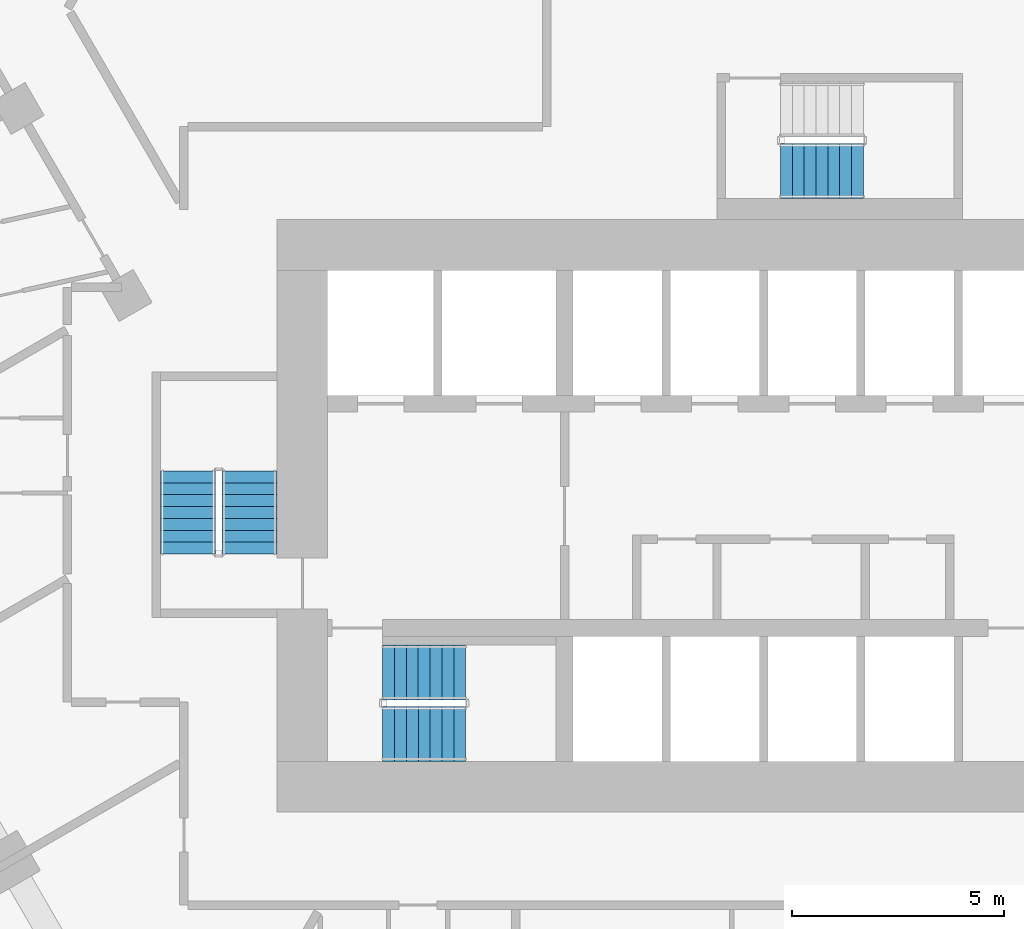
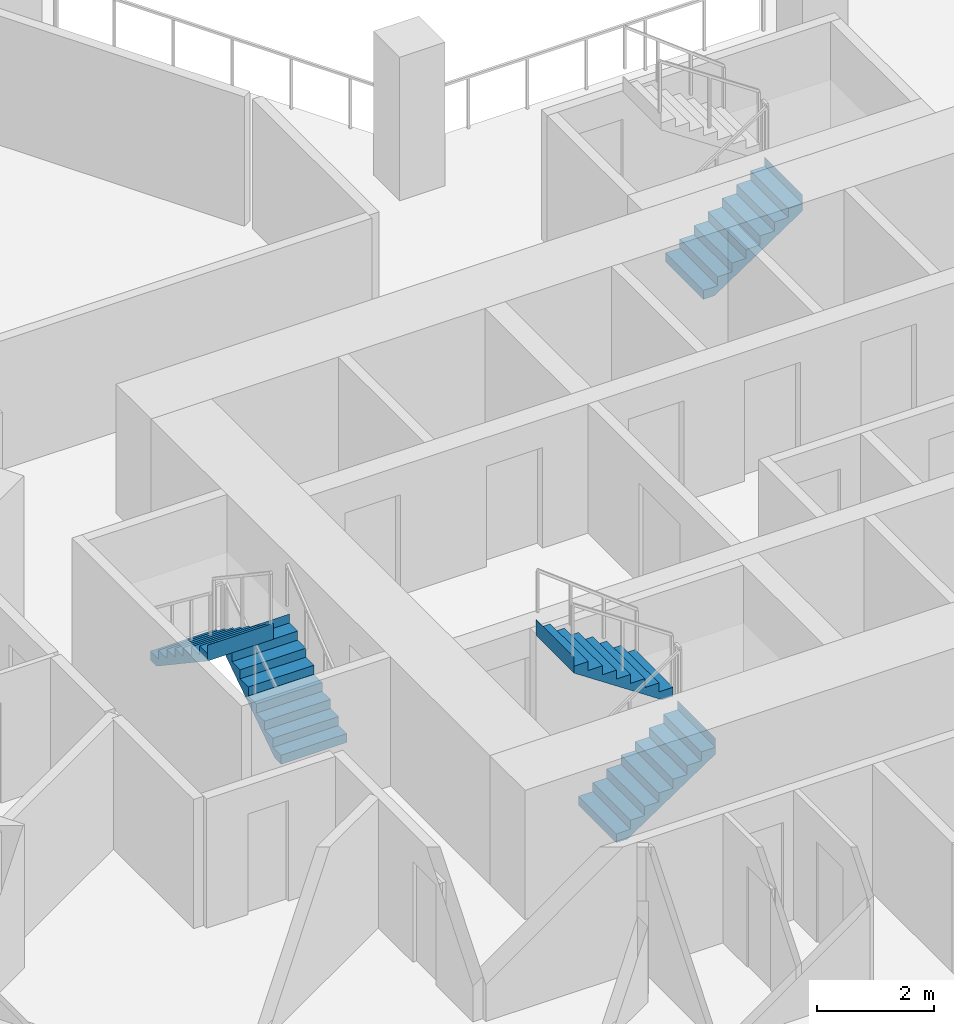
# One storey, part 16 of 21: 5 stair flights, 3 elements without a shape of their own.
"""IFC4 building model written with IfcOpenShell, lengths in metres."""

from ifc_helpers import new_model, si_unit, direction, frame, origin, place, context, subcontext, project, spatial, triangles, material, type_object, element, aggregate, save


model = new_model("IFC4")

# Units and contexts
model_context = context("Model", 3, precision=1e-05, world=origin(), true_north=direction((0.0, 1.0)))
body_context = subcontext(model_context, "Body", "Model", "MODEL_VIEW")
ifc_project = project(units=[si_unit("LENGTHUNIT", "METRE"), si_unit("AREAUNIT", "SQUARE_METRE"), si_unit("VOLUMEUNIT", "CUBIC_METRE"), si_unit("PLANEANGLEUNIT", "RADIAN"), si_unit("MASSUNIT", "GRAM", prefix="KILO")], contexts=[model_context])

# Site, building, storey
site_placement = place(None, origin())
site = spatial("IfcSite", under=ifc_project, at=site_placement, CompositionType="ELEMENT")
building_placement = place(site_placement, origin())
building = spatial("IfcBuilding", under=site, at=building_placement, Name="Beryl Residences", CompositionType="ELEMENT")
storey_placement = place(building_placement, frame((0.0, 0.0, 35.39990234375)))
storey = spatial("IfcBuildingStorey", under=building, at=storey_placement, Name="L10", CompositionType="ELEMENT", Elevation=35.39990234375)

# Stair, stair flights
ifc_material_1 = material(Name="Concrete C40/50", Category="concrete")
stair_type = type_object("IfcStairType", Name="ST1 protected exit stair, half-turn, 1300 mm flights", PredefinedType="HALF_TURN_STAIR", material=ifc_material_1)
stair_1_placement = place(storey_placement, origin())
stair_1 = element("IfcStair", 1, at=stair_1_placement, inside=storey, type_object=stair_type, Name="L10 PROTECTED EXIT STAIR ST-1", PredefinedType="HALF_TURN_STAIR")
ifc_material_2 = material(Name="Concrete C40/50", Category="concrete")
stair_flight_type = type_object("IfcStairFlightType", Name="SF1 stair flight 1300 mm", PredefinedType="STRAIGHT", material=ifc_material_2)
stair_flight_1_placement = place(storey_placement, frame((-10.800048828125, -17.14990234375, 0.0), z_axis=(0.0, 0.0, 1.0), x_axis=(1.0, 0.0, 0.0)))
stair_flight_1 = element("IfcStairFlight", 2, at=stair_flight_1_placement, type_object=stair_flight_type, Name="ST-1 flight 1", NumberOfRisers=8, NumberOfTreads=7, PredefinedType="STRAIGHT", RiserHeight=0.1875, TreadLength=0.28, context=body_context, shape_type="Tessellation", body=[
    triangles([(0.0, -0.64990234375, 0.0), (0.0, -0.324951171875, 0.0), (0.0, 0.0, 0.0), (0.0, 0.324951171875, 0.0), (0.0, 0.64990234375, 0.0), (0.0, -0.64990234375, 0.1875), (0.0, -0.324951171875, 0.1875), (0.0, 0.0, 0.1875), (0.0, 0.324951171875, 0.1875), (0.0, 0.64990234375, 0.1875), (0.280029296875, -0.64990234375, 0.1875), (0.280029296875, -0.324951171875, 0.1875), (0.280029296875, 0.0, 0.1875), (0.280029296875, 0.324951171875, 0.1875), (0.280029296875, 0.64990234375, 0.1875), (0.280029296875, -0.64990234375, 0.375), (0.280029296875, -0.324951171875, 0.375), (0.280029296875, 0.0, 0.375), (0.280029296875, 0.324951171875, 0.375), (0.280029296875, 0.64990234375, 0.375), (0.56005859375, -0.64990234375, 0.375), (0.56005859375, -0.324951171875, 0.375), (0.56005859375, 0.0, 0.375), (0.56005859375, 0.324951171875, 0.375), (0.56005859375, 0.64990234375, 0.375), (0.56005859375, -0.64990234375, 0.5625), (0.56005859375, -0.324951171875, 0.5625), (0.56005859375, 0.0, 0.5625), (0.56005859375, 0.324951171875, 0.5625), (0.56005859375, 0.64990234375, 0.5625), (0.840087890625, -0.64990234375, 0.5625), (0.840087890625, -0.324951171875, 0.5625), (0.840087890625, 0.0, 0.5625), (0.840087890625, 0.324951171875, 0.5625), (0.840087890625, 0.64990234375, 0.5625), (0.840087890625, -0.64990234375, 0.75), (0.840087890625, -0.324951171875, 0.75), (0.840087890625, 0.0, 0.75), (0.840087890625, 0.324951171875, 0.75), (0.840087890625, 0.64990234375, 0.75), (1.1201171875, -0.64990234375, 0.75), (1.1201171875, -0.324951171875, 0.75), (1.1201171875, 0.0, 0.75), (1.1201171875, 0.324951171875, 0.75), (1.1201171875, 0.64990234375, 0.75), (1.1201171875, -0.64990234375, 0.9375), (1.1201171875, -0.324951171875, 0.9375), (1.1201171875, 0.0, 0.9375), (1.1201171875, 0.324951171875, 0.9375), (1.1201171875, 0.64990234375, 0.9375), (1.39990234375, -0.64990234375, 0.9375), (1.39990234375, -0.324951171875, 0.9375), (1.39990234375, 0.0, 0.9375), (1.39990234375, 0.324951171875, 0.9375), (1.39990234375, 0.64990234375, 0.9375), (1.39990234375, -0.64990234375, 1.125), (1.39990234375, -0.324951171875, 1.125), (1.39990234375, 0.0, 1.125), (1.39990234375, 0.324951171875, 1.125), (1.39990234375, 0.64990234375, 1.125), (1.679931640625, -0.64990234375, 1.125), (1.679931640625, -0.324951171875, 1.125), (1.679931640625, 0.0, 1.125), (1.679931640625, 0.324951171875, 1.125), (1.679931640625, 0.64990234375, 1.125), (1.679931640625, -0.64990234375, 1.3125), (1.679931640625, -0.324951171875, 1.3125), (1.679931640625, 0.0, 1.3125), (1.679931640625, 0.324951171875, 1.3125), (1.679931640625, 0.64990234375, 1.3125), (1.9599609375, -0.64990234375, 1.3125), (1.9599609375, -0.324951171875, 1.3125), (1.9599609375, 0.0, 1.3125), (1.9599609375, 0.324951171875, 1.3125), (1.9599609375, 0.64990234375, 1.3125), (1.9599609375, -0.64990234375, 1.5), (1.9599609375, -0.324951171875, 1.5), (1.9599609375, 0.0, 1.5), (1.9599609375, 0.324951171875, 1.5), (1.9599609375, 0.64990234375, 1.5), (1.9609375, -0.64990234375, 1.5), (1.9609375, -0.324951171875, 1.5), (1.9609375, 0.0, 1.5), (1.9609375, 0.324951171875, 1.5), (1.9609375, 0.64990234375, 1.5), (1.9609375, -0.64990234375, 1.16796875), (1.9609375, -0.324951171875, 1.16796875), (1.9609375, 0.0, 1.16796875), (1.9609375, 0.324951171875, 1.16796875), (1.9609375, 0.64990234375, 1.16796875), (0.216796875, -0.64990234375, 0.0), (0.216796875, -0.324951171875, 0.0), (0.216796875, 0.0, 0.0), (0.216796875, 0.324951171875, 0.0), (0.216796875, 0.64990234375, 0.0)], [[1, 6, 7], [1, 7, 2], [2, 7, 8], [2, 8, 3], [3, 8, 9], [3, 9, 4], [4, 9, 10], [4, 10, 5], [6, 11, 12], [6, 12, 7], [7, 12, 13], [7, 13, 8], [8, 13, 14], [8, 14, 9], [9, 14, 15], [9, 15, 10], [11, 16, 17], [11, 17, 12], [12, 17, 18], [12, 18, 13], [13, 18, 19], [13, 19, 14], [14, 19, 20], [14, 20, 15], [16, 21, 22], [16, 22, 17], [17, 22, 23], [17, 23, 18], [18, 23, 24], [18, 24, 19], [19, 24, 25], [19, 25, 20], [21, 26, 27], [21, 27, 22], [22, 27, 28], [22, 28, 23], [23, 28, 29], [23, 29, 24], [24, 29, 30], [24, 30, 25], [26, 31, 32], [26, 32, 27], [27, 32, 33], [27, 33, 28], [28, 33, 34], [28, 34, 29], [29, 34, 35], [29, 35, 30], [31, 36, 37], [31, 37, 32], [32, 37, 38], [32, 38, 33], [33, 38, 39], [33, 39, 34], [34, 39, 40], [34, 40, 35], [36, 41, 42], [36, 42, 37], [37, 42, 43], [37, 43, 38], [38, 43, 44], [38, 44, 39], [39, 44, 45], [39, 45, 40], [41, 46, 47], [41, 47, 42], [42, 47, 48], [42, 48, 43], [43, 48, 49], [43, 49, 44], [44, 49, 50], [44, 50, 45], [46, 51, 52], [46, 52, 47], [47, 52, 53], [47, 53, 48], [48, 53, 54], [48, 54, 49], [49, 54, 55], [49, 55, 50], [51, 56, 57], [51, 57, 52], [52, 57, 58], [52, 58, 53], [53, 58, 59], [53, 59, 54], [54, 59, 60], [54, 60, 55], [56, 61, 62], [56, 62, 57], [57, 62, 63], [57, 63, 58], [58, 63, 64], [58, 64, 59], [59, 64, 65], [59, 65, 60], [61, 66, 67], [61, 67, 62], [62, 67, 68], [62, 68, 63], [63, 68, 69], [63, 69, 64], [64, 69, 70], [64, 70, 65], [66, 71, 72], [66, 72, 67], [67, 72, 73], [67, 73, 68], [68, 73, 74], [68, 74, 69], [69, 74, 75], [69, 75, 70], [71, 76, 77], [71, 77, 72], [72, 77, 78], [72, 78, 73], [73, 78, 79], [73, 79, 74], [74, 79, 80], [74, 80, 75], [76, 81, 82], [76, 82, 77], [77, 82, 83], [77, 83, 78], [78, 83, 84], [78, 84, 79], [79, 84, 85], [79, 85, 80], [81, 86, 87], [81, 87, 82], [82, 87, 88], [82, 88, 83], [83, 88, 89], [83, 89, 84], [84, 89, 90], [84, 90, 85], [86, 91, 92], [86, 92, 87], [87, 92, 93], [87, 93, 88], [88, 93, 94], [88, 94, 89], [89, 94, 95], [89, 95, 90], [91, 1, 2], [91, 2, 92], [92, 2, 3], [92, 3, 93], [93, 3, 4], [93, 4, 94], [94, 4, 5], [94, 5, 95], [1, 91, 86], [5, 90, 95], [86, 81, 76], [90, 80, 85], [86, 76, 71], [90, 75, 80], [86, 71, 66], [90, 70, 75], [86, 66, 61], [90, 65, 70], [61, 56, 51], [65, 55, 60], [86, 61, 51], [90, 55, 65], [51, 46, 41], [55, 45, 50], [86, 51, 41], [90, 45, 55], [41, 36, 31], [45, 35, 40], [86, 41, 31], [90, 35, 45], [31, 26, 21], [35, 25, 30], [86, 31, 21], [90, 25, 35], [21, 16, 11], [25, 15, 20], [86, 21, 11], [90, 15, 25], [1, 86, 11], [5, 15, 90], [11, 6, 1], [15, 5, 10]], closed=True),
])
stair_flight_2_placement = place(storey_placement, frame((-8.840087890625, -15.699951171875, 1.5), z_axis=(0.0, 0.0, 1.0), x_axis=(-1.0, 0.0, 0.0)))
stair_flight_2 = element("IfcStairFlight", 3, at=stair_flight_2_placement, type_object=stair_flight_type, Name="ST-1 flight 2", NumberOfRisers=8, NumberOfTreads=7, PredefinedType="STRAIGHT", RiserHeight=0.1875, TreadLength=0.28, context=body_context, shape_type="Tessellation", body=[
    triangles([(0.0, -0.64990234375, 0.0), (0.0, -0.324951171875, 0.0), (0.0, 0.0, 0.0), (0.0, 0.324951171875, 0.0), (0.0, 0.64990234375, 0.0), (0.0, -0.64990234375, 0.1875), (0.0, -0.324951171875, 0.1875), (0.0, 0.0, 0.1875), (0.0, 0.324951171875, 0.1875), (0.0, 0.64990234375, 0.1875), (0.280029296875, -0.64990234375, 0.1875), (0.280029296875, -0.324951171875, 0.1875), (0.280029296875, 0.0, 0.1875), (0.280029296875, 0.324951171875, 0.1875), (0.280029296875, 0.64990234375, 0.1875), (0.280029296875, -0.64990234375, 0.375), (0.280029296875, -0.324951171875, 0.375), (0.280029296875, 0.0, 0.375), (0.280029296875, 0.324951171875, 0.375), (0.280029296875, 0.64990234375, 0.375), (0.56005859375, -0.64990234375, 0.375), (0.56005859375, -0.324951171875, 0.375), (0.56005859375, 0.0, 0.375), (0.56005859375, 0.324951171875, 0.375), (0.56005859375, 0.64990234375, 0.375), (0.56005859375, -0.64990234375, 0.5625), (0.56005859375, -0.324951171875, 0.5625), (0.56005859375, 0.0, 0.5625), (0.56005859375, 0.324951171875, 0.5625), (0.56005859375, 0.64990234375, 0.5625), (0.840087890625, -0.64990234375, 0.5625), (0.840087890625, -0.324951171875, 0.5625), (0.840087890625, 0.0, 0.5625), (0.840087890625, 0.324951171875, 0.5625), (0.840087890625, 0.64990234375, 0.5625), (0.840087890625, -0.64990234375, 0.75), (0.840087890625, -0.324951171875, 0.75), (0.840087890625, 0.0, 0.75), (0.840087890625, 0.324951171875, 0.75), (0.840087890625, 0.64990234375, 0.75), (1.1201171875, -0.64990234375, 0.75), (1.1201171875, -0.324951171875, 0.75), (1.1201171875, 0.0, 0.75), (1.1201171875, 0.324951171875, 0.75), (1.1201171875, 0.64990234375, 0.75), (1.1201171875, -0.64990234375, 0.9375), (1.1201171875, -0.324951171875, 0.9375), (1.1201171875, 0.0, 0.9375), (1.1201171875, 0.324951171875, 0.9375), (1.1201171875, 0.64990234375, 0.9375), (1.39990234375, -0.64990234375, 0.9375), (1.39990234375, -0.324951171875, 0.9375), (1.39990234375, 0.0, 0.9375), (1.39990234375, 0.324951171875, 0.9375), (1.39990234375, 0.64990234375, 0.9375), (1.39990234375, -0.64990234375, 1.125), (1.39990234375, -0.324951171875, 1.125), (1.39990234375, 0.0, 1.125), (1.39990234375, 0.324951171875, 1.125), (1.39990234375, 0.64990234375, 1.125), (1.679931640625, -0.64990234375, 1.125), (1.679931640625, -0.324951171875, 1.125), (1.679931640625, 0.0, 1.125), (1.679931640625, 0.324951171875, 1.125), (1.679931640625, 0.64990234375, 1.125), (1.679931640625, -0.64990234375, 1.3125), (1.679931640625, -0.324951171875, 1.3125), (1.679931640625, 0.0, 1.3125), (1.679931640625, 0.324951171875, 1.3125), (1.679931640625, 0.64990234375, 1.3125), (1.9599609375, -0.64990234375, 1.3125), (1.9599609375, -0.324951171875, 1.3125), (1.9599609375, 0.0, 1.3125), (1.9599609375, 0.324951171875, 1.3125), (1.9599609375, 0.64990234375, 1.3125), (1.9599609375, -0.64990234375, 1.5), (1.9599609375, -0.324951171875, 1.5), (1.9599609375, 0.0, 1.5), (1.9599609375, 0.324951171875, 1.5), (1.9599609375, 0.64990234375, 1.5), (1.9609375, -0.64990234375, 1.5), (1.9609375, -0.324951171875, 1.5), (1.9609375, 0.0, 1.5), (1.9609375, 0.324951171875, 1.5), (1.9609375, 0.64990234375, 1.5), (1.9609375, -0.64990234375, 1.16796875), (1.9609375, -0.324951171875, 1.16796875), (1.9609375, 0.0, 1.16796875), (1.9609375, 0.324951171875, 1.16796875), (1.9609375, 0.64990234375, 1.16796875), (0.216796875, -0.64990234375, 0.0), (0.216796875, -0.324951171875, 0.0), (0.216796875, 0.0, 0.0), (0.216796875, 0.324951171875, 0.0), (0.216796875, 0.64990234375, 0.0)], [[1, 6, 7], [1, 7, 2], [2, 7, 8], [2, 8, 3], [3, 8, 9], [3, 9, 4], [4, 9, 10], [4, 10, 5], [6, 11, 12], [6, 12, 7], [7, 12, 13], [7, 13, 8], [8, 13, 14], [8, 14, 9], [9, 14, 15], [9, 15, 10], [11, 16, 17], [11, 17, 12], [12, 17, 18], [12, 18, 13], [13, 18, 19], [13, 19, 14], [14, 19, 20], [14, 20, 15], [16, 21, 22], [16, 22, 17], [17, 22, 23], [17, 23, 18], [18, 23, 24], [18, 24, 19], [19, 24, 25], [19, 25, 20], [21, 26, 27], [21, 27, 22], [22, 27, 28], [22, 28, 23], [23, 28, 29], [23, 29, 24], [24, 29, 30], [24, 30, 25], [26, 31, 32], [26, 32, 27], [27, 32, 33], [27, 33, 28], [28, 33, 34], [28, 34, 29], [29, 34, 35], [29, 35, 30], [31, 36, 37], [31, 37, 32], [32, 37, 38], [32, 38, 33], [33, 38, 39], [33, 39, 34], [34, 39, 40], [34, 40, 35], [36, 41, 42], [36, 42, 37], [37, 42, 43], [37, 43, 38], [38, 43, 44], [38, 44, 39], [39, 44, 45], [39, 45, 40], [41, 46, 47], [41, 47, 42], [42, 47, 48], [42, 48, 43], [43, 48, 49], [43, 49, 44], [44, 49, 50], [44, 50, 45], [46, 51, 52], [46, 52, 47], [47, 52, 53], [47, 53, 48], [48, 53, 54], [48, 54, 49], [49, 54, 55], [49, 55, 50], [51, 56, 57], [51, 57, 52], [52, 57, 58], [52, 58, 53], [53, 58, 59], [53, 59, 54], [54, 59, 60], [54, 60, 55], [56, 61, 62], [56, 62, 57], [57, 62, 63], [57, 63, 58], [58, 63, 64], [58, 64, 59], [59, 64, 65], [59, 65, 60], [61, 66, 67], [61, 67, 62], [62, 67, 68], [62, 68, 63], [63, 68, 69], [63, 69, 64], [64, 69, 70], [64, 70, 65], [66, 71, 72], [66, 72, 67], [67, 72, 73], [67, 73, 68], [68, 73, 74], [68, 74, 69], [69, 74, 75], [69, 75, 70], [71, 76, 77], [71, 77, 72], [72, 77, 78], [72, 78, 73], [73, 78, 79], [73, 79, 74], [74, 79, 80], [74, 80, 75], [76, 81, 82], [76, 82, 77], [77, 82, 83], [77, 83, 78], [78, 83, 84], [78, 84, 79], [79, 84, 85], [79, 85, 80], [81, 86, 87], [81, 87, 82], [82, 87, 88], [82, 88, 83], [83, 88, 89], [83, 89, 84], [84, 89, 90], [84, 90, 85], [86, 91, 92], [86, 92, 87], [87, 92, 93], [87, 93, 88], [88, 93, 94], [88, 94, 89], [89, 94, 95], [89, 95, 90], [91, 1, 2], [91, 2, 92], [92, 2, 3], [92, 3, 93], [93, 3, 4], [93, 4, 94], [94, 4, 5], [94, 5, 95], [1, 91, 86], [5, 90, 95], [86, 81, 76], [90, 80, 85], [86, 76, 71], [90, 75, 80], [86, 71, 66], [90, 70, 75], [86, 66, 61], [90, 65, 70], [61, 56, 51], [65, 55, 60], [86, 61, 51], [90, 55, 65], [51, 46, 41], [55, 45, 50], [86, 51, 41], [90, 45, 55], [41, 36, 31], [45, 35, 40], [86, 41, 31], [90, 35, 45], [31, 26, 21], [35, 25, 30], [86, 31, 21], [90, 25, 35], [21, 16, 11], [25, 15, 20], [86, 21, 11], [90, 15, 25], [1, 86, 11], [5, 15, 90], [11, 6, 1], [15, 5, 10]], closed=True),
])
aggregate(stair_1, [stair_flight_1, stair_flight_2])

stair_2_placement = place(storey_placement, origin())
stair_2 = element("IfcStair", 4, at=stair_2_placement, inside=storey, type_object=stair_type, Name="L10 PROTECTED EXIT STAIR ST-2", PredefinedType="HALF_TURN_STAIR")
stair_flight_3_placement = place(storey_placement, frame((-13.949951171875, -12.89990234375, 0.0), z_axis=(0.0, 0.0, 1.0), x_axis=(0.0, 1.0, 0.0)))
stair_flight_3 = element("IfcStairFlight", 5, at=stair_flight_3_placement, type_object=stair_flight_type, Name="ST-2 flight 1", NumberOfRisers=8, NumberOfTreads=7, PredefinedType="STRAIGHT", RiserHeight=0.1875, TreadLength=0.28, context=body_context, shape_type="Tessellation", body=[
    triangles([(0.0, -0.64990234375, 0.0), (0.0, -0.324951171875, 0.0), (0.0, 0.0, 0.0), (0.0, 0.324951171875, 0.0), (0.0, 0.64990234375, 0.0), (0.0, -0.64990234375, 0.1875), (0.0, -0.324951171875, 0.1875), (0.0, 0.0, 0.1875), (0.0, 0.324951171875, 0.1875), (0.0, 0.64990234375, 0.1875), (0.280029296875, -0.64990234375, 0.1875), (0.280029296875, -0.324951171875, 0.1875), (0.280029296875, 0.0, 0.1875), (0.280029296875, 0.324951171875, 0.1875), (0.280029296875, 0.64990234375, 0.1875), (0.280029296875, -0.64990234375, 0.375), (0.280029296875, -0.324951171875, 0.375), (0.280029296875, 0.0, 0.375), (0.280029296875, 0.324951171875, 0.375), (0.280029296875, 0.64990234375, 0.375), (0.56005859375, -0.64990234375, 0.375), (0.56005859375, -0.324951171875, 0.375), (0.56005859375, 0.0, 0.375), (0.56005859375, 0.324951171875, 0.375), (0.56005859375, 0.64990234375, 0.375), (0.56005859375, -0.64990234375, 0.5625), (0.56005859375, -0.324951171875, 0.5625), (0.56005859375, 0.0, 0.5625), (0.56005859375, 0.324951171875, 0.5625), (0.56005859375, 0.64990234375, 0.5625), (0.840087890625, -0.64990234375, 0.5625), (0.840087890625, -0.324951171875, 0.5625), (0.840087890625, 0.0, 0.5625), (0.840087890625, 0.324951171875, 0.5625), (0.840087890625, 0.64990234375, 0.5625), (0.840087890625, -0.64990234375, 0.75), (0.840087890625, -0.324951171875, 0.75), (0.840087890625, 0.0, 0.75), (0.840087890625, 0.324951171875, 0.75), (0.840087890625, 0.64990234375, 0.75), (1.1201171875, -0.64990234375, 0.75), (1.1201171875, -0.324951171875, 0.75), (1.1201171875, 0.0, 0.75), (1.1201171875, 0.324951171875, 0.75), (1.1201171875, 0.64990234375, 0.75), (1.1201171875, -0.64990234375, 0.9375), (1.1201171875, -0.324951171875, 0.9375), (1.1201171875, 0.0, 0.9375), (1.1201171875, 0.324951171875, 0.9375), (1.1201171875, 0.64990234375, 0.9375), (1.39990234375, -0.64990234375, 0.9375), (1.39990234375, -0.324951171875, 0.9375), (1.39990234375, 0.0, 0.9375), (1.39990234375, 0.324951171875, 0.9375), (1.39990234375, 0.64990234375, 0.9375), (1.39990234375, -0.64990234375, 1.125), (1.39990234375, -0.324951171875, 1.125), (1.39990234375, 0.0, 1.125), (1.39990234375, 0.324951171875, 1.125), (1.39990234375, 0.64990234375, 1.125), (1.679931640625, -0.64990234375, 1.125), (1.679931640625, -0.324951171875, 1.125), (1.679931640625, 0.0, 1.125), (1.679931640625, 0.324951171875, 1.125), (1.679931640625, 0.64990234375, 1.125), (1.679931640625, -0.64990234375, 1.3125), (1.679931640625, -0.324951171875, 1.3125), (1.679931640625, 0.0, 1.3125), (1.679931640625, 0.324951171875, 1.3125), (1.679931640625, 0.64990234375, 1.3125), (1.9599609375, -0.64990234375, 1.3125), (1.9599609375, -0.324951171875, 1.3125), (1.9599609375, 0.0, 1.3125), (1.9599609375, 0.324951171875, 1.3125), (1.9599609375, 0.64990234375, 1.3125), (1.9599609375, -0.64990234375, 1.5), (1.9599609375, -0.324951171875, 1.5), (1.9599609375, 0.0, 1.5), (1.9599609375, 0.324951171875, 1.5), (1.9599609375, 0.64990234375, 1.5), (1.9609375, -0.64990234375, 1.5), (1.9609375, -0.324951171875, 1.5), (1.9609375, 0.0, 1.5), (1.9609375, 0.324951171875, 1.5), (1.9609375, 0.64990234375, 1.5), (1.9609375, -0.64990234375, 1.16796875), (1.9609375, -0.324951171875, 1.16796875), (1.9609375, 0.0, 1.16796875), (1.9609375, 0.324951171875, 1.16796875), (1.9609375, 0.64990234375, 1.16796875), (0.216796875, -0.64990234375, 0.0), (0.216796875, -0.324951171875, 0.0), (0.216796875, 0.0, 0.0), (0.216796875, 0.324951171875, 0.0), (0.216796875, 0.64990234375, 0.0)], [[1, 6, 7], [1, 7, 2], [2, 7, 8], [2, 8, 3], [3, 8, 9], [3, 9, 4], [4, 9, 10], [4, 10, 5], [6, 11, 12], [6, 12, 7], [7, 12, 13], [7, 13, 8], [8, 13, 14], [8, 14, 9], [9, 14, 15], [9, 15, 10], [11, 16, 17], [11, 17, 12], [12, 17, 18], [12, 18, 13], [13, 18, 19], [13, 19, 14], [14, 19, 20], [14, 20, 15], [16, 21, 22], [16, 22, 17], [17, 22, 23], [17, 23, 18], [18, 23, 24], [18, 24, 19], [19, 24, 25], [19, 25, 20], [21, 26, 27], [21, 27, 22], [22, 27, 28], [22, 28, 23], [23, 28, 29], [23, 29, 24], [24, 29, 30], [24, 30, 25], [26, 31, 32], [26, 32, 27], [27, 32, 33], [27, 33, 28], [28, 33, 34], [28, 34, 29], [29, 34, 35], [29, 35, 30], [31, 36, 37], [31, 37, 32], [32, 37, 38], [32, 38, 33], [33, 38, 39], [33, 39, 34], [34, 39, 40], [34, 40, 35], [36, 41, 42], [36, 42, 37], [37, 42, 43], [37, 43, 38], [38, 43, 44], [38, 44, 39], [39, 44, 45], [39, 45, 40], [41, 46, 47], [41, 47, 42], [42, 47, 48], [42, 48, 43], [43, 48, 49], [43, 49, 44], [44, 49, 50], [44, 50, 45], [46, 51, 52], [46, 52, 47], [47, 52, 53], [47, 53, 48], [48, 53, 54], [48, 54, 49], [49, 54, 55], [49, 55, 50], [51, 56, 57], [51, 57, 52], [52, 57, 58], [52, 58, 53], [53, 58, 59], [53, 59, 54], [54, 59, 60], [54, 60, 55], [56, 61, 62], [56, 62, 57], [57, 62, 63], [57, 63, 58], [58, 63, 64], [58, 64, 59], [59, 64, 65], [59, 65, 60], [61, 66, 67], [61, 67, 62], [62, 67, 68], [62, 68, 63], [63, 68, 69], [63, 69, 64], [64, 69, 70], [64, 70, 65], [66, 71, 72], [66, 72, 67], [67, 72, 73], [67, 73, 68], [68, 73, 74], [68, 74, 69], [69, 74, 75], [69, 75, 70], [71, 76, 77], [71, 77, 72], [72, 77, 78], [72, 78, 73], [73, 78, 79], [73, 79, 74], [74, 79, 80], [74, 80, 75], [76, 81, 82], [76, 82, 77], [77, 82, 83], [77, 83, 78], [78, 83, 84], [78, 84, 79], [79, 84, 85], [79, 85, 80], [81, 86, 87], [81, 87, 82], [82, 87, 88], [82, 88, 83], [83, 88, 89], [83, 89, 84], [84, 89, 90], [84, 90, 85], [86, 91, 92], [86, 92, 87], [87, 92, 93], [87, 93, 88], [88, 93, 94], [88, 94, 89], [89, 94, 95], [89, 95, 90], [91, 1, 2], [91, 2, 92], [92, 2, 3], [92, 3, 93], [93, 3, 4], [93, 4, 94], [94, 4, 5], [94, 5, 95], [1, 91, 86], [5, 90, 95], [86, 81, 76], [90, 80, 85], [86, 76, 71], [90, 75, 80], [86, 71, 66], [90, 70, 75], [86, 66, 61], [90, 65, 70], [61, 56, 51], [65, 55, 60], [86, 61, 51], [90, 55, 65], [51, 46, 41], [55, 45, 50], [86, 51, 41], [90, 45, 55], [41, 36, 31], [45, 35, 40], [86, 41, 31], [90, 35, 45], [31, 26, 21], [35, 25, 30], [86, 31, 21], [90, 25, 35], [21, 16, 11], [25, 15, 20], [86, 21, 11], [90, 15, 25], [1, 86, 11], [5, 15, 90], [11, 6, 1], [15, 5, 10]], closed=True),
])
stair_flight_4_placement = place(storey_placement, frame((-15.39990234375, -10.93994140625, 1.5), z_axis=(0.0, 0.0, 1.0), x_axis=(0.0, -1.0, 0.0)))
stair_flight_4 = element("IfcStairFlight", 6, at=stair_flight_4_placement, type_object=stair_flight_type, Name="ST-2 flight 2", NumberOfRisers=8, NumberOfTreads=7, PredefinedType="STRAIGHT", RiserHeight=0.1875, TreadLength=0.28, context=body_context, shape_type="Tessellation", body=[
    triangles([(0.0, -0.64990234375, 0.0), (0.0, -0.324951171875, 0.0), (0.0, 0.0, 0.0), (0.0, 0.324951171875, 0.0), (0.0, 0.64990234375, 0.0), (0.0, -0.64990234375, 0.1875), (0.0, -0.324951171875, 0.1875), (0.0, 0.0, 0.1875), (0.0, 0.324951171875, 0.1875), (0.0, 0.64990234375, 0.1875), (0.280029296875, -0.64990234375, 0.1875), (0.280029296875, -0.324951171875, 0.1875), (0.280029296875, 0.0, 0.1875), (0.280029296875, 0.324951171875, 0.1875), (0.280029296875, 0.64990234375, 0.1875), (0.280029296875, -0.64990234375, 0.375), (0.280029296875, -0.324951171875, 0.375), (0.280029296875, 0.0, 0.375), (0.280029296875, 0.324951171875, 0.375), (0.280029296875, 0.64990234375, 0.375), (0.56005859375, -0.64990234375, 0.375), (0.56005859375, -0.324951171875, 0.375), (0.56005859375, 0.0, 0.375), (0.56005859375, 0.324951171875, 0.375), (0.56005859375, 0.64990234375, 0.375), (0.56005859375, -0.64990234375, 0.5625), (0.56005859375, -0.324951171875, 0.5625), (0.56005859375, 0.0, 0.5625), (0.56005859375, 0.324951171875, 0.5625), (0.56005859375, 0.64990234375, 0.5625), (0.840087890625, -0.64990234375, 0.5625), (0.840087890625, -0.324951171875, 0.5625), (0.840087890625, 0.0, 0.5625), (0.840087890625, 0.324951171875, 0.5625), (0.840087890625, 0.64990234375, 0.5625), (0.840087890625, -0.64990234375, 0.75), (0.840087890625, -0.324951171875, 0.75), (0.840087890625, 0.0, 0.75), (0.840087890625, 0.324951171875, 0.75), (0.840087890625, 0.64990234375, 0.75), (1.1201171875, -0.64990234375, 0.75), (1.1201171875, -0.324951171875, 0.75), (1.1201171875, 0.0, 0.75), (1.1201171875, 0.324951171875, 0.75), (1.1201171875, 0.64990234375, 0.75), (1.1201171875, -0.64990234375, 0.9375), (1.1201171875, -0.324951171875, 0.9375), (1.1201171875, 0.0, 0.9375), (1.1201171875, 0.324951171875, 0.9375), (1.1201171875, 0.64990234375, 0.9375), (1.39990234375, -0.64990234375, 0.9375), (1.39990234375, -0.324951171875, 0.9375), (1.39990234375, 0.0, 0.9375), (1.39990234375, 0.324951171875, 0.9375), (1.39990234375, 0.64990234375, 0.9375), (1.39990234375, -0.64990234375, 1.125), (1.39990234375, -0.324951171875, 1.125), (1.39990234375, 0.0, 1.125), (1.39990234375, 0.324951171875, 1.125), (1.39990234375, 0.64990234375, 1.125), (1.679931640625, -0.64990234375, 1.125), (1.679931640625, -0.324951171875, 1.125), (1.679931640625, 0.0, 1.125), (1.679931640625, 0.324951171875, 1.125), (1.679931640625, 0.64990234375, 1.125), (1.679931640625, -0.64990234375, 1.3125), (1.679931640625, -0.324951171875, 1.3125), (1.679931640625, 0.0, 1.3125), (1.679931640625, 0.324951171875, 1.3125), (1.679931640625, 0.64990234375, 1.3125), (1.9599609375, -0.64990234375, 1.3125), (1.9599609375, -0.324951171875, 1.3125), (1.9599609375, 0.0, 1.3125), (1.9599609375, 0.324951171875, 1.3125), (1.9599609375, 0.64990234375, 1.3125), (1.9599609375, -0.64990234375, 1.5), (1.9599609375, -0.324951171875, 1.5), (1.9599609375, 0.0, 1.5), (1.9599609375, 0.324951171875, 1.5), (1.9599609375, 0.64990234375, 1.5), (1.9609375, -0.64990234375, 1.5), (1.9609375, -0.324951171875, 1.5), (1.9609375, 0.0, 1.5), (1.9609375, 0.324951171875, 1.5), (1.9609375, 0.64990234375, 1.5), (1.9609375, -0.64990234375, 1.16796875), (1.9609375, -0.324951171875, 1.16796875), (1.9609375, 0.0, 1.16796875), (1.9609375, 0.324951171875, 1.16796875), (1.9609375, 0.64990234375, 1.16796875), (0.216796875, -0.64990234375, 0.0), (0.216796875, -0.324951171875, 0.0), (0.216796875, 0.0, 0.0), (0.216796875, 0.324951171875, 0.0), (0.216796875, 0.64990234375, 0.0)], [[1, 6, 7], [1, 7, 2], [2, 7, 8], [2, 8, 3], [3, 8, 9], [3, 9, 4], [4, 9, 10], [4, 10, 5], [6, 11, 12], [6, 12, 7], [7, 12, 13], [7, 13, 8], [8, 13, 14], [8, 14, 9], [9, 14, 15], [9, 15, 10], [11, 16, 17], [11, 17, 12], [12, 17, 18], [12, 18, 13], [13, 18, 19], [13, 19, 14], [14, 19, 20], [14, 20, 15], [16, 21, 22], [16, 22, 17], [17, 22, 23], [17, 23, 18], [18, 23, 24], [18, 24, 19], [19, 24, 25], [19, 25, 20], [21, 26, 27], [21, 27, 22], [22, 27, 28], [22, 28, 23], [23, 28, 29], [23, 29, 24], [24, 29, 30], [24, 30, 25], [26, 31, 32], [26, 32, 27], [27, 32, 33], [27, 33, 28], [28, 33, 34], [28, 34, 29], [29, 34, 35], [29, 35, 30], [31, 36, 37], [31, 37, 32], [32, 37, 38], [32, 38, 33], [33, 38, 39], [33, 39, 34], [34, 39, 40], [34, 40, 35], [36, 41, 42], [36, 42, 37], [37, 42, 43], [37, 43, 38], [38, 43, 44], [38, 44, 39], [39, 44, 45], [39, 45, 40], [41, 46, 47], [41, 47, 42], [42, 47, 48], [42, 48, 43], [43, 48, 49], [43, 49, 44], [44, 49, 50], [44, 50, 45], [46, 51, 52], [46, 52, 47], [47, 52, 53], [47, 53, 48], [48, 53, 54], [48, 54, 49], [49, 54, 55], [49, 55, 50], [51, 56, 57], [51, 57, 52], [52, 57, 58], [52, 58, 53], [53, 58, 59], [53, 59, 54], [54, 59, 60], [54, 60, 55], [56, 61, 62], [56, 62, 57], [57, 62, 63], [57, 63, 58], [58, 63, 64], [58, 64, 59], [59, 64, 65], [59, 65, 60], [61, 66, 67], [61, 67, 62], [62, 67, 68], [62, 68, 63], [63, 68, 69], [63, 69, 64], [64, 69, 70], [64, 70, 65], [66, 71, 72], [66, 72, 67], [67, 72, 73], [67, 73, 68], [68, 73, 74], [68, 74, 69], [69, 74, 75], [69, 75, 70], [71, 76, 77], [71, 77, 72], [72, 77, 78], [72, 78, 73], [73, 78, 79], [73, 79, 74], [74, 79, 80], [74, 80, 75], [76, 81, 82], [76, 82, 77], [77, 82, 83], [77, 83, 78], [78, 83, 84], [78, 84, 79], [79, 84, 85], [79, 85, 80], [81, 86, 87], [81, 87, 82], [82, 87, 88], [82, 88, 83], [83, 88, 89], [83, 89, 84], [84, 89, 90], [84, 90, 85], [86, 91, 92], [86, 92, 87], [87, 92, 93], [87, 93, 88], [88, 93, 94], [88, 94, 89], [89, 94, 95], [89, 95, 90], [91, 1, 2], [91, 2, 92], [92, 2, 3], [92, 3, 93], [93, 3, 4], [93, 4, 94], [94, 4, 5], [94, 5, 95], [1, 91, 86], [5, 90, 95], [86, 81, 76], [90, 80, 85], [86, 76, 71], [90, 75, 80], [86, 71, 66], [90, 70, 75], [86, 66, 61], [90, 65, 70], [61, 56, 51], [65, 55, 60], [86, 61, 51], [90, 55, 65], [51, 46, 41], [55, 45, 50], [86, 51, 41], [90, 45, 55], [41, 36, 31], [45, 35, 40], [86, 41, 31], [90, 35, 45], [31, 26, 21], [35, 25, 30], [86, 31, 21], [90, 25, 35], [21, 16, 11], [25, 15, 20], [86, 21, 11], [90, 15, 25], [1, 86, 11], [5, 15, 90], [11, 6, 1], [15, 5, 10]], closed=True),
])
aggregate(stair_2, [stair_flight_3, stair_flight_4])

# Stair, stair flight
stair_3_placement = place(storey_placement, origin())
stair_3 = element("IfcStair", 7, at=stair_3_placement, inside=storey, type_object=stair_type, Name="L10 PROTECTED EXIT STAIR ST-4", PredefinedType="HALF_TURN_STAIR")
stair_flight_5_placement = place(storey_placement, frame((-1.39990234375, -3.85009765625, 0.0), z_axis=(0.0, 0.0, 1.0), x_axis=(1.0, 0.0, 0.0)))
stair_flight_5 = element("IfcStairFlight", 8, at=stair_flight_5_placement, type_object=stair_flight_type, Name="ST-4 flight 1", NumberOfRisers=8, NumberOfTreads=7, PredefinedType="STRAIGHT", RiserHeight=0.1875, TreadLength=0.28, context=body_context, shape_type="Tessellation", body=[
    triangles([(0.0, -0.64990234375, 0.0), (0.0, -0.324951171875, 0.0), (0.0, 0.0, 0.0), (0.0, 0.324951171875, 0.0), (0.0, 0.64990234375, 0.0), (0.0, -0.64990234375, 0.1875), (0.0, -0.324951171875, 0.1875), (0.0, 0.0, 0.1875), (0.0, 0.324951171875, 0.1875), (0.0, 0.64990234375, 0.1875), (0.280029296875, -0.64990234375, 0.1875), (0.280029296875, -0.324951171875, 0.1875), (0.280029296875, 0.0, 0.1875), (0.280029296875, 0.324951171875, 0.1875), (0.280029296875, 0.64990234375, 0.1875), (0.280029296875, -0.64990234375, 0.375), (0.280029296875, -0.324951171875, 0.375), (0.280029296875, 0.0, 0.375), (0.280029296875, 0.324951171875, 0.375), (0.280029296875, 0.64990234375, 0.375), (0.56005859375, -0.64990234375, 0.375), (0.56005859375, -0.324951171875, 0.375), (0.56005859375, 0.0, 0.375), (0.56005859375, 0.324951171875, 0.375), (0.56005859375, 0.64990234375, 0.375), (0.56005859375, -0.64990234375, 0.5625), (0.56005859375, -0.324951171875, 0.5625), (0.56005859375, 0.0, 0.5625), (0.56005859375, 0.324951171875, 0.5625), (0.56005859375, 0.64990234375, 0.5625), (0.840087890625, -0.64990234375, 0.5625), (0.840087890625, -0.324951171875, 0.5625), (0.840087890625, 0.0, 0.5625), (0.840087890625, 0.324951171875, 0.5625), (0.840087890625, 0.64990234375, 0.5625), (0.840087890625, -0.64990234375, 0.75), (0.840087890625, -0.324951171875, 0.75), (0.840087890625, 0.0, 0.75), (0.840087890625, 0.324951171875, 0.75), (0.840087890625, 0.64990234375, 0.75), (1.1201171875, -0.64990234375, 0.75), (1.1201171875, -0.324951171875, 0.75), (1.1201171875, 0.0, 0.75), (1.1201171875, 0.324951171875, 0.75), (1.1201171875, 0.64990234375, 0.75), (1.1201171875, -0.64990234375, 0.9375), (1.1201171875, -0.324951171875, 0.9375), (1.1201171875, 0.0, 0.9375), (1.1201171875, 0.324951171875, 0.9375), (1.1201171875, 0.64990234375, 0.9375), (1.39990234375, -0.64990234375, 0.9375), (1.39990234375, -0.324951171875, 0.9375), (1.39990234375, 0.0, 0.9375), (1.39990234375, 0.324951171875, 0.9375), (1.39990234375, 0.64990234375, 0.9375), (1.39990234375, -0.64990234375, 1.125), (1.39990234375, -0.324951171875, 1.125), (1.39990234375, 0.0, 1.125), (1.39990234375, 0.324951171875, 1.125), (1.39990234375, 0.64990234375, 1.125), (1.679931640625, -0.64990234375, 1.125), (1.679931640625, -0.324951171875, 1.125), (1.679931640625, 0.0, 1.125), (1.679931640625, 0.324951171875, 1.125), (1.679931640625, 0.64990234375, 1.125), (1.679931640625, -0.64990234375, 1.3125), (1.679931640625, -0.324951171875, 1.3125), (1.679931640625, 0.0, 1.3125), (1.679931640625, 0.324951171875, 1.3125), (1.679931640625, 0.64990234375, 1.3125), (1.9599609375, -0.64990234375, 1.3125), (1.9599609375, -0.324951171875, 1.3125), (1.9599609375, 0.0, 1.3125), (1.9599609375, 0.324951171875, 1.3125), (1.9599609375, 0.64990234375, 1.3125), (1.9599609375, -0.64990234375, 1.5), (1.9599609375, -0.324951171875, 1.5), (1.9599609375, 0.0, 1.5), (1.9599609375, 0.324951171875, 1.5), (1.9599609375, 0.64990234375, 1.5), (1.9609375, -0.64990234375, 1.5), (1.9609375, -0.324951171875, 1.5), (1.9609375, 0.0, 1.5), (1.9609375, 0.324951171875, 1.5), (1.9609375, 0.64990234375, 1.5), (1.9609375, -0.64990234375, 1.16796875), (1.9609375, -0.324951171875, 1.16796875), (1.9609375, 0.0, 1.16796875), (1.9609375, 0.324951171875, 1.16796875), (1.9609375, 0.64990234375, 1.16796875), (0.216796875, -0.64990234375, 0.0), (0.216796875, -0.324951171875, 0.0), (0.216796875, 0.0, 0.0), (0.216796875, 0.324951171875, 0.0), (0.216796875, 0.64990234375, 0.0)], [[1, 6, 7], [1, 7, 2], [2, 7, 8], [2, 8, 3], [3, 8, 9], [3, 9, 4], [4, 9, 10], [4, 10, 5], [6, 11, 12], [6, 12, 7], [7, 12, 13], [7, 13, 8], [8, 13, 14], [8, 14, 9], [9, 14, 15], [9, 15, 10], [11, 16, 17], [11, 17, 12], [12, 17, 18], [12, 18, 13], [13, 18, 19], [13, 19, 14], [14, 19, 20], [14, 20, 15], [16, 21, 22], [16, 22, 17], [17, 22, 23], [17, 23, 18], [18, 23, 24], [18, 24, 19], [19, 24, 25], [19, 25, 20], [21, 26, 27], [21, 27, 22], [22, 27, 28], [22, 28, 23], [23, 28, 29], [23, 29, 24], [24, 29, 30], [24, 30, 25], [26, 31, 32], [26, 32, 27], [27, 32, 33], [27, 33, 28], [28, 33, 34], [28, 34, 29], [29, 34, 35], [29, 35, 30], [31, 36, 37], [31, 37, 32], [32, 37, 38], [32, 38, 33], [33, 38, 39], [33, 39, 34], [34, 39, 40], [34, 40, 35], [36, 41, 42], [36, 42, 37], [37, 42, 43], [37, 43, 38], [38, 43, 44], [38, 44, 39], [39, 44, 45], [39, 45, 40], [41, 46, 47], [41, 47, 42], [42, 47, 48], [42, 48, 43], [43, 48, 49], [43, 49, 44], [44, 49, 50], [44, 50, 45], [46, 51, 52], [46, 52, 47], [47, 52, 53], [47, 53, 48], [48, 53, 54], [48, 54, 49], [49, 54, 55], [49, 55, 50], [51, 56, 57], [51, 57, 52], [52, 57, 58], [52, 58, 53], [53, 58, 59], [53, 59, 54], [54, 59, 60], [54, 60, 55], [56, 61, 62], [56, 62, 57], [57, 62, 63], [57, 63, 58], [58, 63, 64], [58, 64, 59], [59, 64, 65], [59, 65, 60], [61, 66, 67], [61, 67, 62], [62, 67, 68], [62, 68, 63], [63, 68, 69], [63, 69, 64], [64, 69, 70], [64, 70, 65], [66, 71, 72], [66, 72, 67], [67, 72, 73], [67, 73, 68], [68, 73, 74], [68, 74, 69], [69, 74, 75], [69, 75, 70], [71, 76, 77], [71, 77, 72], [72, 77, 78], [72, 78, 73], [73, 78, 79], [73, 79, 74], [74, 79, 80], [74, 80, 75], [76, 81, 82], [76, 82, 77], [77, 82, 83], [77, 83, 78], [78, 83, 84], [78, 84, 79], [79, 84, 85], [79, 85, 80], [81, 86, 87], [81, 87, 82], [82, 87, 88], [82, 88, 83], [83, 88, 89], [83, 89, 84], [84, 89, 90], [84, 90, 85], [86, 91, 92], [86, 92, 87], [87, 92, 93], [87, 93, 88], [88, 93, 94], [88, 94, 89], [89, 94, 95], [89, 95, 90], [91, 1, 2], [91, 2, 92], [92, 2, 3], [92, 3, 93], [93, 3, 4], [93, 4, 94], [94, 4, 5], [94, 5, 95], [1, 91, 86], [5, 90, 95], [86, 81, 76], [90, 80, 85], [86, 76, 71], [90, 75, 80], [86, 71, 66], [90, 70, 75], [86, 66, 61], [90, 65, 70], [61, 56, 51], [65, 55, 60], [86, 61, 51], [90, 55, 65], [51, 46, 41], [55, 45, 50], [86, 51, 41], [90, 45, 55], [41, 36, 31], [45, 35, 40], [86, 41, 31], [90, 35, 45], [31, 26, 21], [35, 25, 30], [86, 31, 21], [90, 25, 35], [21, 16, 11], [25, 15, 20], [86, 21, 11], [90, 15, 25], [1, 86, 11], [5, 15, 90], [11, 6, 1], [15, 5, 10]], closed=True),
])
aggregate(stair_3, [stair_flight_5])

save(model, "model.ifc")
